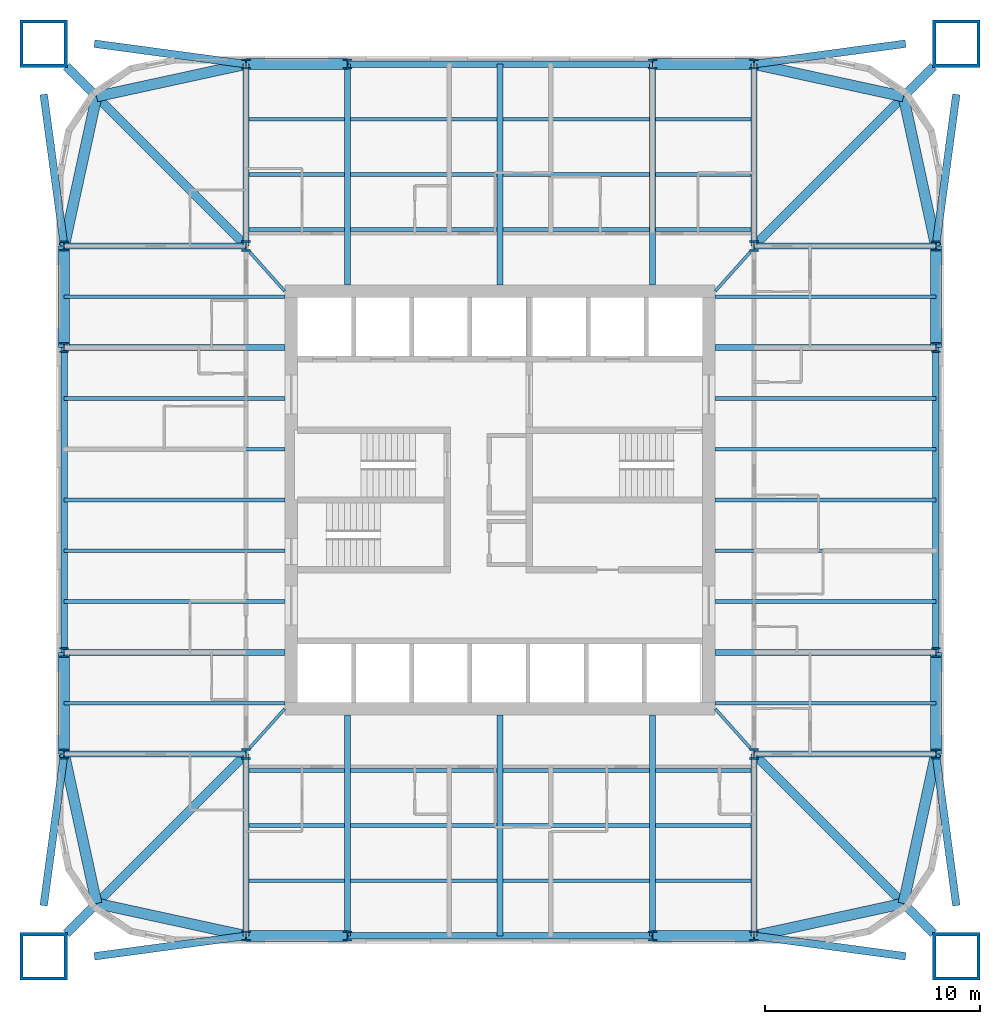
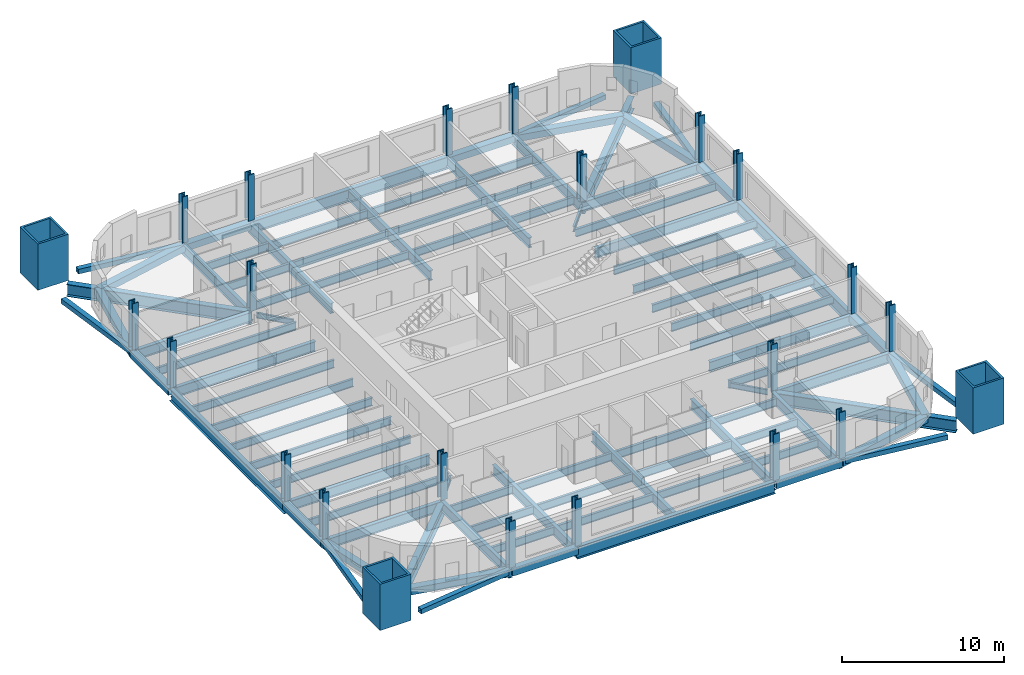
# One storey, part 1 of 9: 92 beams, 24 columns.
"""IFC4 building model written with IfcOpenShell, lengths in metres."""

from ifc_helpers import new_model, si_unit, direction, frame, origin, origin_2d, place, context, subcontext, project, spatial, hollow_rectangle, i_section, extrude, material, material_profile, profile_set, type_object, element, save


model = new_model("IFC4")

# Units and contexts
model_context = context("Model", 3, precision=1e-05, world=origin(), true_north=direction((0.0, 1.0)))
body_context = subcontext(model_context, "Body", "Model", "MODEL_VIEW")
ifc_project = project(units=[si_unit("LENGTHUNIT", "METRE"), si_unit("AREAUNIT", "SQUARE_METRE"), si_unit("VOLUMEUNIT", "CUBIC_METRE"), si_unit("PLANEANGLEUNIT", "RADIAN"), si_unit("MASSUNIT", "GRAM", prefix="KILO")], contexts=[model_context])

# Site, building, storey
site_placement = place(None, origin())
site = spatial("IfcSite", under=ifc_project, at=site_placement, CompositionType="ELEMENT")
building_placement = place(site_placement, origin())
building = spatial("IfcBuilding", under=site, at=building_placement, Name="Turquesa Mirador Hotel Tower", CompositionType="ELEMENT")
storey_placement = place(building_placement, frame((0.0, 0.0, 96.89990234375)))
storey = spatial("IfcBuildingStorey", under=building, at=storey_placement, Name="L25", CompositionType="ELEMENT", Elevation=96.89990234375)

# Columns
ifc_material_1 = material(Name="Steel ASTM A992 Grade 50", Category="steel")
ifc_material_profile_1 = material_profile(ifc_material_1, i_section(OverallWidth=0.421630859375, OverallDepth=0.46484375, WebThickness=0.044921875, FlangeThickness=0.072509765625, at=origin_2d()), Name="W14X398")
ifc_profile_set_1 = profile_set([ifc_material_profile_1], Name="Steel ASTM A992 Grade 50")
column_type_1 = type_object("IfcColumnType", Name="COLUMN W14X398", PredefinedType="COLUMN", material=ifc_profile_set_1)
for number, where, z_axis, x_axis, name in (
    (1, (34.75, 33.199951171875, 0.0), (0.0, 0.0, 1.0), (1.0, 0.0, 0.0), "COL-L25-P--20.25--11.80"),
    (2, (34.75, 37.919921875, 0.0), (0.0, 0.0, 1.0), (1.0, 0.0, 0.0), "COL-L25-P--20.25--7.08"),
    (3, (34.75, 52.080078125, 0.0), (0.0, 0.0, 1.0), (1.0, 0.0, 0.0), "COL-L25-P--20.25-+7.08"),
    (4, (34.75, 56.800048828125, 0.0), (0.0, 0.0, 1.0), (1.0, 0.0, 0.0), "COL-L25-P--20.25-+11.80"),
    (5, (43.199951171875, 24.75, 0.0), (0.0, 0.0, 1.0), (1.0, 0.0, 0.0), "COL-L25-P--11.80--20.25"),
    (6, (43.199951171875, 65.25, 0.0), (0.0, 0.0, 1.0), (1.0, 0.0, 0.0), "COL-L25-P--11.80-+20.25"),
    (7, (47.919921875, 24.75, 0.0), (0.0, 0.0, 1.0), (1.0, 0.0, 0.0), "COL-L25-P--7.08--20.25"),
    (8, (47.919921875, 65.25, 0.0), (0.0, 0.0, 1.0), (1.0, 0.0, 0.0), "COL-L25-P--7.08-+20.25"),
    (9, (62.080078125, 24.75, 0.0), (0.0, 0.0, 1.0), (1.0, 0.0, 0.0), "COL-L25-P-+7.08--20.25"),
    (10, (62.080078125, 65.25, 0.0), (0.0, 0.0, 1.0), (1.0, 0.0, 0.0), "COL-L25-P-+7.08-+20.25"),
    (11, (66.800048828125, 24.75, 0.0), (0.0, 0.0, 1.0), (1.0, 0.0, 0.0), "COL-L25-P-+11.80--20.25"),
    (12, (66.800048828125, 65.25, 0.0), (0.0, 0.0, 1.0), (1.0, 0.0, 0.0), "COL-L25-P-+11.80-+20.25"),
    (13, (75.25, 33.199951171875, 0.0), (0.0, 0.0, 1.0), (1.0, 0.0, 0.0), "COL-L25-P-+20.25--11.80"),
    (14, (75.25, 37.919921875, 0.0), (0.0, 0.0, 1.0), (1.0, 0.0, 0.0), "COL-L25-P-+20.25--7.08"),
    (15, (75.25, 52.080078125, 0.0), (0.0, 0.0, 1.0), (1.0, 0.0, 0.0), "COL-L25-P-+20.25-+7.08"),
    (16, (75.25, 56.800048828125, 0.0), (0.0, 0.0, 1.0), (1.0, 0.0, 0.0), "COL-L25-P-+20.25-+11.80"),
):
    element("IfcColumn", number, at=place(storey_placement, frame(where, z_axis=z_axis, x_axis=x_axis)), inside=storey, type_object=column_type_1, Name=name, PredefinedType="COLUMN", context=body_context, shape_type="SweptSolid", body=[
        extrude(i_section(OverallWidth=0.421630859375, OverallDepth=0.46484375, WebThickness=0.044921875, FlangeThickness=0.072509765625, at=origin_2d()), origin(), (0.0, 0.0, 1.0), 3.5),
    ])
ifc_material_2 = material(Name="Steel ASTM A992 Grade 50", Category="steel")
ifc_material_profile_2 = material_profile(ifc_material_2, i_section(OverallWidth=0.431884765625, OverallDepth=0.497802734375, WebThickness=0.0556640625, FlangeThickness=0.0888671875, at=origin_2d()), Name="W14X500")
ifc_profile_set_2 = profile_set([ifc_material_profile_2], Name="Steel ASTM A992 Grade 50")
column_type_2 = type_object("IfcColumnType", Name="COLUMN W14X500", PredefinedType="COLUMN", material=ifc_profile_set_2)
for number, where, z_axis, x_axis, name in (
    (17, (43.199951171875, 33.199951171875, 0.0), (0.0, 0.0, 1.0), (1.0, 0.0, 0.0), "COL-L25-K--11.80--11.80"),
    (18, (43.199951171875, 56.800048828125, 0.0), (0.0, 0.0, 1.0), (1.0, 0.0, 0.0), "COL-L25-K--11.80-+11.80"),
    (19, (66.800048828125, 33.199951171875, 0.0), (0.0, 0.0, 1.0), (1.0, 0.0, 0.0), "COL-L25-K-+11.80--11.80"),
    (20, (66.800048828125, 56.800048828125, 0.0), (0.0, 0.0, 1.0), (1.0, 0.0, 0.0), "COL-L25-K-+11.80-+11.80"),
):
    element("IfcColumn", number, at=place(storey_placement, frame(where, z_axis=z_axis, x_axis=x_axis)), inside=storey, type_object=column_type_2, Name=name, PredefinedType="COLUMN", context=body_context, shape_type="SweptSolid", body=[
        extrude(i_section(OverallWidth=0.431884765625, OverallDepth=0.497802734375, WebThickness=0.0556640625, FlangeThickness=0.0888671875, at=origin_2d()), origin(), (0.0, 0.0, 1.0), 3.5),
    ])
ifc_material_3 = material(Name="Steel ASTM A514 Grade Q", Category="steel")
ifc_material_profile_3 = material_profile(ifc_material_3, hollow_rectangle(XDim=2.199951171875, YDim=2.199951171875, WallThickness=0.14990234375, at=origin_2d()), Name="BOX2200X2200X150")
ifc_profile_set_3 = profile_set([ifc_material_profile_3], Name="Steel ASTM A514 Grade Q")
column_type_3 = type_object("IfcColumnType", Name="MEGA COLUMN BOX2200X2200X150", PredefinedType="COLUMN", material=ifc_profile_set_3)
for number, where, z_axis, x_axis, name in (
    (21, (76.199951171875, 66.199951171875, 0.0), (0.0, 0.0, 1.0), (1.0, 0.0, 0.0), "Mega column M1"),
    (22, (33.800048828125, 66.199951171875, 0.0), (0.0, 0.0, 1.0), (1.0, 0.0, 0.0), "Mega column M2"),
    (23, (33.800048828125, 23.800048828125, 0.0), (0.0, 0.0, 1.0), (1.0, 0.0, 0.0), "Mega column M3"),
    (24, (76.199951171875, 23.800048828125, 0.0), (0.0, 0.0, 1.0), (1.0, 0.0, 0.0), "Mega column M4"),
):
    element("IfcColumn", number, at=place(storey_placement, frame(where, z_axis=z_axis, x_axis=x_axis)), inside=storey, type_object=column_type_3, Name=name, PredefinedType="COLUMN", context=body_context, shape_type="SweptSolid", body=[
        extrude(hollow_rectangle(XDim=2.199951171875, YDim=2.199951171875, WallThickness=0.14990234375, at=origin_2d()), origin(), (0.0, 0.0, 1.0), 3.5),
    ])

# Beams
ifc_material_4 = material(Name="Steel ASTM A572 Grade 50", Category="steel")
ifc_material_profile_4 = material_profile(ifc_material_4, hollow_rectangle(XDim=0.5, YDim=0.5, WallThickness=0.01611328125, at=origin_2d()), Name="BOX500X500X16")
ifc_profile_set_4 = profile_set([ifc_material_profile_4], Name="Steel ASTM A572 Grade 50")
beam_type_1 = type_object("IfcBeamType", Name="BEAM BOX500X500X16", PredefinedType="BEAM", material=ifc_profile_set_4)
for number, where, z_axis, x_axis, name in (
    (25, (43.199951171875, 65.25, -0.419921875), (1.0, 0.0, 0.0), (0.0, 1.0, 0.0), "EB-L25-N-L"),
    (26, (62.080078125, 65.25, -0.419921875), (1.0, 0.0, 0.0), (0.0, 1.0, 0.0), "EB-L25-N-R"),
    (27, (43.199951171875, 24.75, -0.419921875), (1.0, 0.0, 0.0), (0.0, 1.0, 0.0), "EB-L25-S-L"),
    (28, (62.080078125, 24.75, -0.419921875), (1.0, 0.0, 0.0), (0.0, 1.0, 0.0), "EB-L25-S-R"),
    (29, (75.25, 33.199951171875, -0.419921875), (0.0, 1.0, 0.0), (-1.0, 0.0, 0.0), "EB-L25-E-L"),
    (30, (75.25, 52.080078125, -0.419921875), (0.0, 1.0, 0.0), (-1.0, 0.0, 0.0), "EB-L25-E-R"),
    (31, (34.75, 33.199951171875, -0.419921875), (0.0, 1.0, 0.0), (-1.0, 0.0, 0.0), "EB-L25-W-L"),
    (32, (34.75, 52.080078125, -0.419921875), (0.0, 1.0, 0.0), (-1.0, 0.0, 0.0), "EB-L25-W-R"),
):
    element("IfcBeam", number, at=place(storey_placement, frame(where, z_axis=z_axis, x_axis=x_axis)), inside=storey, type_object=beam_type_1, Name=name, PredefinedType="BEAM", context=body_context, shape_type="SweptSolid", body=[
        extrude(hollow_rectangle(XDim=0.5, YDim=0.5, WallThickness=0.01611328125, at=origin_2d()), origin(), (0.0, 0.0, 1.0), 4.719970703125),
    ])
for number, where, z_axis, x_axis, name in (
    (33, (75.25, 56.800048828125, -0.419921875), (-0.212328336885, 0.977198381781, 0.0), (-0.977198381781, -0.212328336885, 0.0), "KE-L25-1-0"),
    (34, (73.74169921875, 63.74169921875, -0.419921875), (-0.977198381781, 0.212328336885, 0.0), (-0.212328336885, -0.977198381781, 0.0), "KE-L25-1-1"),
    (35, (34.75, 56.800048828125, -0.419921875), (0.212328336885, 0.977198381781, 0.0), (-0.977198381781, 0.212328336885, 0.0), "KE-L25-2-0"),
    (36, (36.25830078125, 63.74169921875, -0.419921875), (0.977198381781, 0.212328336885, 0.0), (-0.212328336885, 0.977198381781, 0.0), "KE-L25-2-1"),
    (37, (34.75, 33.199951171875, -0.419921875), (0.212328336885, -0.977198381781, 0.0), (0.977198381781, 0.212328336885, 0.0), "KE-L25-3-0"),
    (38, (36.25830078125, 26.25830078125, -0.419921875), (0.977198381781, -0.212328336885, 0.0), (0.212328336885, 0.977198381781, 0.0), "KE-L25-3-1"),
    (39, (75.25, 33.199951171875, -0.419921875), (-0.212328336885, -0.977198381781, 0.0), (0.977198381781, -0.212328336885, 0.0), "KE-L25-4-0"),
    (40, (73.74169921875, 26.25830078125, -0.419921875), (-0.977198381781, -0.212328336885, 0.0), (0.212328336885, -0.977198381781, 0.0), "KE-L25-4-1"),
):
    element("IfcBeam", number, at=place(storey_placement, frame(where, z_axis=z_axis, x_axis=x_axis)), inside=storey, type_object=beam_type_1, Name=name, PredefinedType="BEAM", context=body_context, shape_type="SweptSolid", body=[
        extrude(hollow_rectangle(XDim=0.5, YDim=0.5, WallThickness=0.01611328125, at=origin_2d()), origin(), (0.0, 0.0, 1.0), 7.103515625),
    ])
ifc_material_5 = material(Name="Steel ASTM A992 Grade 50", Category="steel")
ifc_material_profile_5 = material_profile(ifc_material_5, i_section(OverallWidth=0.140380859375, OverallDepth=0.40380859375, WebThickness=0.007080078125, FlangeThickness=0.01123046875, at=origin_2d()), Name="W16X31")
ifc_profile_set_5 = profile_set([ifc_material_profile_5], Name="Steel ASTM A992 Grade 50")
beam_type_2 = type_object("IfcBeamType", Name="BEAM W16X31", PredefinedType="BEAM", material=ifc_profile_set_5)
for number, where, z_axis, x_axis, name in (
    (41, (66.626953125, 56.518310546875, -0.371826171875), (-0.66679485947, -0.745241313525, 0.0), (0.745241313525, -0.66679485947, 0.0), "KT-L25-1"),
    (42, (43.373046875, 56.518310546875, -0.371826171875), (0.66679485947, -0.745241313525, 0.0), (0.745241313525, 0.66679485947, 0.0), "KT-L25-2"),
    (43, (43.373046875, 33.481689453125, -0.371826171875), (0.66679485947, 0.745241313525, 0.0), (-0.745241313525, 0.66679485947, 0.0), "KT-L25-3"),
    (44, (66.626953125, 33.481689453125, -0.371826171875), (-0.66679485947, 0.745241313525, 0.0), (-0.745241313525, -0.66679485947, 0.0), "KT-L25-4"),
):
    element("IfcBeam", number, at=place(storey_placement, frame(where, z_axis=z_axis, x_axis=x_axis)), inside=storey, type_object=beam_type_2, Name=name, PredefinedType="BEAM", context=body_context, shape_type="SweptSolid", body=[
        extrude(i_section(OverallWidth=0.140380859375, OverallDepth=0.40380859375, WebThickness=0.007080078125, FlangeThickness=0.01123046875, at=origin_2d()), origin(), (0.0, 0.0, 1.0), 2.43994140625),
    ])
ifc_material_6 = material(Name="Steel ASTM A992 Grade 50", Category="steel")
ifc_material_profile_6 = material_profile(ifc_material_6, i_section(OverallWidth=0.177978515625, OverallDepth=0.599365234375, WebThickness=0.010009765625, FlangeThickness=0.012939453125, at=origin_2d()), Name="W24X55")
ifc_profile_set_6 = profile_set([ifc_material_profile_6], Name="Steel ASTM A992 Grade 50")
beam_type_3 = type_object("IfcBeamType", Name="BEAM W24X55", PredefinedType="BEAM", material=ifc_profile_set_6)
beam_1_placement = place(storey_placement, frame((43.333251953125, 57.56201171875, -0.4697265625), z_axis=(1.0, 0.0, 0.0), x_axis=(0.0, 1.0, 0.0)))
element("IfcBeam", 45, at=beam_1_placement, inside=storey, type_object=beam_type_3, Name="IB-L25-N-1-0", PredefinedType="BEAM", context=body_context, shape_type="SweptSolid", body=[
    extrude(i_section(OverallWidth=0.177978515625, OverallDepth=0.599365234375, WebThickness=0.010009765625, FlangeThickness=0.012939453125, at=origin_2d()), origin(), (0.0, 0.0, 1.0), 4.453369140625),
])
for number, where, z_axis, x_axis, name in (
    (46, (48.053466796875, 57.56201171875, -0.4697265625), (1.0, 0.0, 0.0), (0.0, 1.0, 0.0), "IB-L25-N-1-1"),
    (47, (55.13330078125, 57.56201171875, -0.4697265625), (1.0, 0.0, 0.0), (0.0, 1.0, 0.0), "IB-L25-N-1-2"),
):
    element("IfcBeam", number, at=place(storey_placement, frame(where, z_axis=z_axis, x_axis=x_axis)), inside=storey, type_object=beam_type_3, Name=name, PredefinedType="BEAM", context=body_context, shape_type="SweptSolid", body=[
        extrude(i_section(OverallWidth=0.177978515625, OverallDepth=0.599365234375, WebThickness=0.010009765625, FlangeThickness=0.012939453125, at=origin_2d()), origin(), (0.0, 0.0, 1.0), 6.813232421875),
    ])
for number, where, z_axis, x_axis, name in (
    (48, (62.21337890625, 57.56201171875, -0.4697265625), (1.0, 0.0, 0.0), (0.0, 1.0, 0.0), "IB-L25-N-1-3"),
    (49, (43.333251953125, 60.125, -0.4697265625), (1.0, 0.0, 0.0), (0.0, 1.0, 0.0), "IB-L25-N-2-0"),
):
    element("IfcBeam", number, at=place(storey_placement, frame(where, z_axis=z_axis, x_axis=x_axis)), inside=storey, type_object=beam_type_3, Name=name, PredefinedType="BEAM", context=body_context, shape_type="SweptSolid", body=[
        extrude(i_section(OverallWidth=0.177978515625, OverallDepth=0.599365234375, WebThickness=0.010009765625, FlangeThickness=0.012939453125, at=origin_2d()), origin(), (0.0, 0.0, 1.0), 4.453369140625),
    ])
for number, where, z_axis, x_axis, name in (
    (50, (48.053466796875, 60.125, -0.4697265625), (1.0, 0.0, 0.0), (0.0, 1.0, 0.0), "IB-L25-N-2-1"),
    (51, (55.13330078125, 60.125, -0.4697265625), (1.0, 0.0, 0.0), (0.0, 1.0, 0.0), "IB-L25-N-2-2"),
):
    element("IfcBeam", number, at=place(storey_placement, frame(where, z_axis=z_axis, x_axis=x_axis)), inside=storey, type_object=beam_type_3, Name=name, PredefinedType="BEAM", context=body_context, shape_type="SweptSolid", body=[
        extrude(i_section(OverallWidth=0.177978515625, OverallDepth=0.599365234375, WebThickness=0.010009765625, FlangeThickness=0.012939453125, at=origin_2d()), origin(), (0.0, 0.0, 1.0), 6.813232421875),
    ])
for number, where, z_axis, x_axis, name in (
    (52, (62.21337890625, 60.125, -0.4697265625), (1.0, 0.0, 0.0), (0.0, 1.0, 0.0), "IB-L25-N-2-3"),
    (53, (43.333251953125, 62.68798828125, -0.4697265625), (1.0, 0.0, 0.0), (0.0, 1.0, 0.0), "IB-L25-N-3-0"),
):
    element("IfcBeam", number, at=place(storey_placement, frame(where, z_axis=z_axis, x_axis=x_axis)), inside=storey, type_object=beam_type_3, Name=name, PredefinedType="BEAM", context=body_context, shape_type="SweptSolid", body=[
        extrude(i_section(OverallWidth=0.177978515625, OverallDepth=0.599365234375, WebThickness=0.010009765625, FlangeThickness=0.012939453125, at=origin_2d()), origin(), (0.0, 0.0, 1.0), 4.453369140625),
    ])
for number, where, z_axis, x_axis, name in (
    (54, (48.053466796875, 62.68798828125, -0.4697265625), (1.0, 0.0, 0.0), (0.0, 1.0, 0.0), "IB-L25-N-3-1"),
    (55, (55.13330078125, 62.68798828125, -0.4697265625), (1.0, 0.0, 0.0), (0.0, 1.0, 0.0), "IB-L25-N-3-2"),
):
    element("IfcBeam", number, at=place(storey_placement, frame(where, z_axis=z_axis, x_axis=x_axis)), inside=storey, type_object=beam_type_3, Name=name, PredefinedType="BEAM", context=body_context, shape_type="SweptSolid", body=[
        extrude(i_section(OverallWidth=0.177978515625, OverallDepth=0.599365234375, WebThickness=0.010009765625, FlangeThickness=0.012939453125, at=origin_2d()), origin(), (0.0, 0.0, 1.0), 6.813232421875),
    ])
for number, where, z_axis, x_axis, name in (
    (56, (62.21337890625, 62.68798828125, -0.4697265625), (1.0, 0.0, 0.0), (0.0, 1.0, 0.0), "IB-L25-N-3-3"),
    (57, (43.333251953125, 32.43798828125, -0.4697265625), (1.0, 0.0, 0.0), (0.0, 1.0, 0.0), "IB-L25-S-1-0"),
):
    element("IfcBeam", number, at=place(storey_placement, frame(where, z_axis=z_axis, x_axis=x_axis)), inside=storey, type_object=beam_type_3, Name=name, PredefinedType="BEAM", context=body_context, shape_type="SweptSolid", body=[
        extrude(i_section(OverallWidth=0.177978515625, OverallDepth=0.599365234375, WebThickness=0.010009765625, FlangeThickness=0.012939453125, at=origin_2d()), origin(), (0.0, 0.0, 1.0), 4.453369140625),
    ])
for number, where, z_axis, x_axis, name in (
    (58, (48.053466796875, 32.43798828125, -0.4697265625), (1.0, 0.0, 0.0), (0.0, 1.0, 0.0), "IB-L25-S-1-1"),
    (59, (55.13330078125, 32.43798828125, -0.4697265625), (1.0, 0.0, 0.0), (0.0, 1.0, 0.0), "IB-L25-S-1-2"),
):
    element("IfcBeam", number, at=place(storey_placement, frame(where, z_axis=z_axis, x_axis=x_axis)), inside=storey, type_object=beam_type_3, Name=name, PredefinedType="BEAM", context=body_context, shape_type="SweptSolid", body=[
        extrude(i_section(OverallWidth=0.177978515625, OverallDepth=0.599365234375, WebThickness=0.010009765625, FlangeThickness=0.012939453125, at=origin_2d()), origin(), (0.0, 0.0, 1.0), 6.813232421875),
    ])
for number, where, z_axis, x_axis, name in (
    (60, (62.21337890625, 32.43798828125, -0.4697265625), (1.0, 0.0, 0.0), (0.0, 1.0, 0.0), "IB-L25-S-1-3"),
    (61, (43.333251953125, 29.875, -0.4697265625), (1.0, 0.0, 0.0), (0.0, 1.0, 0.0), "IB-L25-S-2-0"),
):
    element("IfcBeam", number, at=place(storey_placement, frame(where, z_axis=z_axis, x_axis=x_axis)), inside=storey, type_object=beam_type_3, Name=name, PredefinedType="BEAM", context=body_context, shape_type="SweptSolid", body=[
        extrude(i_section(OverallWidth=0.177978515625, OverallDepth=0.599365234375, WebThickness=0.010009765625, FlangeThickness=0.012939453125, at=origin_2d()), origin(), (0.0, 0.0, 1.0), 4.453369140625),
    ])
for number, where, z_axis, x_axis, name in (
    (62, (48.053466796875, 29.875, -0.4697265625), (1.0, 0.0, 0.0), (0.0, 1.0, 0.0), "IB-L25-S-2-1"),
    (63, (55.13330078125, 29.875, -0.4697265625), (1.0, 0.0, 0.0), (0.0, 1.0, 0.0), "IB-L25-S-2-2"),
):
    element("IfcBeam", number, at=place(storey_placement, frame(where, z_axis=z_axis, x_axis=x_axis)), inside=storey, type_object=beam_type_3, Name=name, PredefinedType="BEAM", context=body_context, shape_type="SweptSolid", body=[
        extrude(i_section(OverallWidth=0.177978515625, OverallDepth=0.599365234375, WebThickness=0.010009765625, FlangeThickness=0.012939453125, at=origin_2d()), origin(), (0.0, 0.0, 1.0), 6.813232421875),
    ])
for number, where, z_axis, x_axis, name in (
    (64, (62.21337890625, 29.875, -0.4697265625), (1.0, 0.0, 0.0), (0.0, 1.0, 0.0), "IB-L25-S-2-3"),
    (65, (43.333251953125, 27.31201171875, -0.4697265625), (1.0, 0.0, 0.0), (0.0, 1.0, 0.0), "IB-L25-S-3-0"),
):
    element("IfcBeam", number, at=place(storey_placement, frame(where, z_axis=z_axis, x_axis=x_axis)), inside=storey, type_object=beam_type_3, Name=name, PredefinedType="BEAM", context=body_context, shape_type="SweptSolid", body=[
        extrude(i_section(OverallWidth=0.177978515625, OverallDepth=0.599365234375, WebThickness=0.010009765625, FlangeThickness=0.012939453125, at=origin_2d()), origin(), (0.0, 0.0, 1.0), 4.453369140625),
    ])
for number, where, z_axis, x_axis, name in (
    (66, (48.053466796875, 27.31201171875, -0.4697265625), (1.0, 0.0, 0.0), (0.0, 1.0, 0.0), "IB-L25-S-3-1"),
    (67, (55.13330078125, 27.31201171875, -0.4697265625), (1.0, 0.0, 0.0), (0.0, 1.0, 0.0), "IB-L25-S-3-2"),
):
    element("IfcBeam", number, at=place(storey_placement, frame(where, z_axis=z_axis, x_axis=x_axis)), inside=storey, type_object=beam_type_3, Name=name, PredefinedType="BEAM", context=body_context, shape_type="SweptSolid", body=[
        extrude(i_section(OverallWidth=0.177978515625, OverallDepth=0.599365234375, WebThickness=0.010009765625, FlangeThickness=0.012939453125, at=origin_2d()), origin(), (0.0, 0.0, 1.0), 6.813232421875),
    ])
beam_2_placement = place(storey_placement, frame((62.21337890625, 27.31201171875, -0.4697265625), z_axis=(1.0, 0.0, 0.0), x_axis=(0.0, 1.0, 0.0)))
element("IfcBeam", 68, at=beam_2_placement, inside=storey, type_object=beam_type_3, Name="IB-L25-S-3-3", PredefinedType="BEAM", context=body_context, shape_type="SweptSolid", body=[
    extrude(i_section(OverallWidth=0.177978515625, OverallDepth=0.599365234375, WebThickness=0.010009765625, FlangeThickness=0.012939453125, at=origin_2d()), origin(), (0.0, 0.0, 1.0), 4.453369140625),
])
for number, where, z_axis, x_axis, name in (
    (69, (75.25, 35.56005859375, -0.4697265625), (-1.0, 0.0, 0.0), (0.0, -1.0, 0.0), "BM-L25-E--9.44"),
    (70, (75.25, 40.280029296875, -0.4697265625), (-1.0, 0.0, 0.0), (0.0, -1.0, 0.0), "BM-L25-E--4.72"),
    (71, (75.25, 42.639892578125, -0.4697265625), (-1.0, 0.0, 0.0), (0.0, -1.0, 0.0), "BM-L25-E--2.36"),
    (72, (75.25, 45.0, -0.4697265625), (-1.0, 0.0, 0.0), (0.0, -1.0, 0.0), "BM-L25-E-+0.00"),
    (73, (75.25, 47.360107421875, -0.4697265625), (-1.0, 0.0, 0.0), (0.0, -1.0, 0.0), "BM-L25-E-+2.36"),
    (74, (75.25, 49.719970703125, -0.4697265625), (-1.0, 0.0, 0.0), (0.0, -1.0, 0.0), "BM-L25-E-+4.72"),
    (75, (75.25, 54.43994140625, -0.4697265625), (-1.0, 0.0, 0.0), (0.0, -1.0, 0.0), "BM-L25-E-+9.44"),
    (76, (34.75, 35.56005859375, -0.4697265625), (1.0, 0.0, 0.0), (0.0, 1.0, 0.0), "BM-L25-W--9.44"),
    (77, (34.75, 40.280029296875, -0.4697265625), (1.0, 0.0, 0.0), (0.0, 1.0, 0.0), "BM-L25-W--4.72"),
    (78, (34.75, 42.639892578125, -0.4697265625), (1.0, 0.0, 0.0), (0.0, 1.0, 0.0), "BM-L25-W--2.36"),
    (79, (34.75, 45.0, -0.4697265625), (1.0, 0.0, 0.0), (0.0, 1.0, 0.0), "BM-L25-W-+0.00"),
    (80, (34.75, 47.360107421875, -0.4697265625), (1.0, 0.0, 0.0), (0.0, 1.0, 0.0), "BM-L25-W-+2.36"),
    (81, (34.75, 49.719970703125, -0.4697265625), (1.0, 0.0, 0.0), (0.0, 1.0, 0.0), "BM-L25-W-+4.72"),
    (82, (34.75, 54.43994140625, -0.4697265625), (1.0, 0.0, 0.0), (0.0, 1.0, 0.0), "BM-L25-W-+9.44"),
):
    element("IfcBeam", number, at=place(storey_placement, frame(where, z_axis=z_axis, x_axis=x_axis)), inside=storey, type_object=beam_type_3, Name=name, PredefinedType="BEAM", context=body_context, shape_type="SweptSolid", body=[
        extrude(i_section(OverallWidth=0.177978515625, OverallDepth=0.599365234375, WebThickness=0.010009765625, FlangeThickness=0.012939453125, at=origin_2d()), origin(), (0.0, 0.0, 1.0), 10.25),
    ])
ifc_material_7 = material(Name="Steel ASTM A992 Grade 50", Category="steel")
ifc_material_profile_7 = material_profile(ifc_material_7, i_section(OverallWidth=0.2666015625, OverallDepth=0.7568359375, WebThickness=0.013916015625, FlangeThickness=0.019287109375, at=origin_2d()), Name="W30X108")
ifc_profile_set_7 = profile_set([ifc_material_profile_7], Name="Steel ASTM A992 Grade 50")
beam_type_4 = type_object("IfcBeamType", Name="BEAM W30X108", PredefinedType="BEAM", material=ifc_profile_set_7)
for number, where, z_axis, x_axis, name in (
    (83, (47.919921875, 65.25, -0.54833984375), (0.0, -1.0, 0.0), (1.0, 0.0, 0.0), "GD-L25-N--7.08"),
    (84, (62.080078125, 65.25, -0.54833984375), (0.0, -1.0, 0.0), (1.0, 0.0, 0.0), "GD-L25-N-+7.08"),
    (85, (55.0, 65.25, -0.54833984375), (0.0, -1.0, 0.0), (1.0, 0.0, 0.0), "GD-L25-N-+0.00"),
):
    element("IfcBeam", number, at=place(storey_placement, frame(where, z_axis=z_axis, x_axis=x_axis)), inside=storey, type_object=beam_type_4, Name=name, PredefinedType="BEAM", context=body_context, shape_type="SweptSolid", body=[
        extrude(i_section(OverallWidth=0.2666015625, OverallDepth=0.7568359375, WebThickness=0.013916015625, FlangeThickness=0.019287109375, at=origin_2d()), origin(), (0.0, 0.0, 1.0), 10.25),
    ])
for number, where, z_axis, x_axis, name in (
    (86, (43.199951171875, 65.25, -0.54833984375), (0.0, -1.0, 0.0), (1.0, 0.0, 0.0), "GK-L25-N--11.80"),
    (87, (66.800048828125, 65.25, -0.54833984375), (0.0, -1.0, 0.0), (1.0, 0.0, 0.0), "GK-L25-N-+11.80"),
):
    element("IfcBeam", number, at=place(storey_placement, frame(where, z_axis=z_axis, x_axis=x_axis)), inside=storey, type_object=beam_type_4, Name=name, PredefinedType="BEAM", context=body_context, shape_type="SweptSolid", body=[
        extrude(i_section(OverallWidth=0.2666015625, OverallDepth=0.7568359375, WebThickness=0.013916015625, FlangeThickness=0.019287109375, at=origin_2d()), origin(), (0.0, 0.0, 1.0), 8.449951171875),
    ])
for number, where, z_axis, x_axis, name in (
    (88, (47.919921875, 24.75, -0.54833984375), (0.0, 1.0, 0.0), (-1.0, 0.0, 0.0), "GD-L25-S--7.08"),
    (89, (62.080078125, 24.75, -0.54833984375), (0.0, 1.0, 0.0), (-1.0, 0.0, 0.0), "GD-L25-S-+7.08"),
    (90, (55.0, 24.75, -0.54833984375), (0.0, 1.0, 0.0), (-1.0, 0.0, 0.0), "GD-L25-S-+0.00"),
):
    element("IfcBeam", number, at=place(storey_placement, frame(where, z_axis=z_axis, x_axis=x_axis)), inside=storey, type_object=beam_type_4, Name=name, PredefinedType="BEAM", context=body_context, shape_type="SweptSolid", body=[
        extrude(i_section(OverallWidth=0.2666015625, OverallDepth=0.7568359375, WebThickness=0.013916015625, FlangeThickness=0.019287109375, at=origin_2d()), origin(), (0.0, 0.0, 1.0), 10.25),
    ])
for number, where, z_axis, x_axis, name in (
    (91, (43.199951171875, 24.75, -0.54833984375), (0.0, 1.0, 0.0), (-1.0, 0.0, 0.0), "GK-L25-S--11.80"),
    (92, (66.800048828125, 24.75, -0.54833984375), (0.0, 1.0, 0.0), (-1.0, 0.0, 0.0), "GK-L25-S-+11.80"),
):
    element("IfcBeam", number, at=place(storey_placement, frame(where, z_axis=z_axis, x_axis=x_axis)), inside=storey, type_object=beam_type_4, Name=name, PredefinedType="BEAM", context=body_context, shape_type="SweptSolid", body=[
        extrude(i_section(OverallWidth=0.2666015625, OverallDepth=0.7568359375, WebThickness=0.013916015625, FlangeThickness=0.019287109375, at=origin_2d()), origin(), (0.0, 0.0, 1.0), 8.449951171875),
    ])
for number, where, z_axis, x_axis, name in (
    (93, (75.25, 37.919921875, -0.54833984375), (-1.0, 0.0, 0.0), (0.0, -1.0, 0.0), "GD-L25-E--7.08"),
    (94, (75.25, 52.080078125, -0.54833984375), (-1.0, 0.0, 0.0), (0.0, -1.0, 0.0), "GD-L25-E-+7.08"),
):
    element("IfcBeam", number, at=place(storey_placement, frame(where, z_axis=z_axis, x_axis=x_axis)), inside=storey, type_object=beam_type_4, Name=name, PredefinedType="BEAM", context=body_context, shape_type="SweptSolid", body=[
        extrude(i_section(OverallWidth=0.2666015625, OverallDepth=0.7568359375, WebThickness=0.013916015625, FlangeThickness=0.019287109375, at=origin_2d()), origin(), (0.0, 0.0, 1.0), 10.25),
    ])
for number, where, z_axis, x_axis, name in (
    (95, (75.25, 33.199951171875, -0.54833984375), (-1.0, 0.0, 0.0), (0.0, -1.0, 0.0), "GK-L25-E--11.80"),
    (96, (75.25, 56.800048828125, -0.54833984375), (-1.0, 0.0, 0.0), (0.0, -1.0, 0.0), "GK-L25-E-+11.80"),
):
    element("IfcBeam", number, at=place(storey_placement, frame(where, z_axis=z_axis, x_axis=x_axis)), inside=storey, type_object=beam_type_4, Name=name, PredefinedType="BEAM", context=body_context, shape_type="SweptSolid", body=[
        extrude(i_section(OverallWidth=0.2666015625, OverallDepth=0.7568359375, WebThickness=0.013916015625, FlangeThickness=0.019287109375, at=origin_2d()), origin(), (0.0, 0.0, 1.0), 8.449951171875),
    ])
for number, where, z_axis, x_axis, name in (
    (97, (34.75, 37.919921875, -0.54833984375), (1.0, 0.0, 0.0), (0.0, 1.0, 0.0), "GD-L25-W--7.08"),
    (98, (34.75, 52.080078125, -0.54833984375), (1.0, 0.0, 0.0), (0.0, 1.0, 0.0), "GD-L25-W-+7.08"),
):
    element("IfcBeam", number, at=place(storey_placement, frame(where, z_axis=z_axis, x_axis=x_axis)), inside=storey, type_object=beam_type_4, Name=name, PredefinedType="BEAM", context=body_context, shape_type="SweptSolid", body=[
        extrude(i_section(OverallWidth=0.2666015625, OverallDepth=0.7568359375, WebThickness=0.013916015625, FlangeThickness=0.019287109375, at=origin_2d()), origin(), (0.0, 0.0, 1.0), 10.25),
    ])
for number, where, z_axis, x_axis, name in (
    (99, (34.75, 33.199951171875, -0.54833984375), (1.0, 0.0, 0.0), (0.0, 1.0, 0.0), "GK-L25-W--11.80"),
    (100, (34.75, 56.800048828125, -0.54833984375), (1.0, 0.0, 0.0), (0.0, 1.0, 0.0), "GK-L25-W-+11.80"),
):
    element("IfcBeam", number, at=place(storey_placement, frame(where, z_axis=z_axis, x_axis=x_axis)), inside=storey, type_object=beam_type_4, Name=name, PredefinedType="BEAM", context=body_context, shape_type="SweptSolid", body=[
        extrude(i_section(OverallWidth=0.2666015625, OverallDepth=0.7568359375, WebThickness=0.013916015625, FlangeThickness=0.019287109375, at=origin_2d()), origin(), (0.0, 0.0, 1.0), 8.449951171875),
    ])
ifc_material_8 = material(Name="Steel ASTM A992 Grade 50", Category="steel")
ifc_material_profile_8 = material_profile(ifc_material_8, i_section(OverallWidth=0.3046875, OverallDepth=0.911865234375, WebThickness=0.015869140625, FlangeThickness=0.02392578125, at=origin_2d()), Name="W36X150")
ifc_profile_set_8 = profile_set([ifc_material_profile_8], Name="Steel ASTM A992 Grade 50")
beam_type_5 = type_object("IfcBeamType", Name="BEAM W36X150", PredefinedType="BEAM", material=ifc_profile_set_8)
for number, where, z_axis, x_axis, name in (
    (101, (47.919921875, 65.25, -0.625732421875), (1.0, 0.0, 0.0), (0.0, 1.0, 0.0), "EB-L25-N-C"),
    (102, (47.919921875, 24.75, -0.625732421875), (1.0, 0.0, 0.0), (0.0, 1.0, 0.0), "EB-L25-S-C"),
    (103, (75.25, 37.919921875, -0.625732421875), (0.0, 1.0, 0.0), (-1.0, 0.0, 0.0), "EB-L25-E-C"),
    (104, (34.75, 37.919921875, -0.625732421875), (0.0, 1.0, 0.0), (-1.0, 0.0, 0.0), "EB-L25-W-C"),
):
    element("IfcBeam", number, at=place(storey_placement, frame(where, z_axis=z_axis, x_axis=x_axis)), inside=storey, type_object=beam_type_5, Name=name, PredefinedType="BEAM", context=body_context, shape_type="SweptSolid", body=[
        extrude(i_section(OverallWidth=0.3046875, OverallDepth=0.911865234375, WebThickness=0.015869140625, FlangeThickness=0.02392578125, at=origin_2d()), origin(), (0.0, 0.0, 1.0), 14.16015625),
    ])
ifc_material_9 = material(Name="Steel ASTM A992 Grade 50", Category="steel")
ifc_material_profile_9 = material_profile(ifc_material_9, i_section(OverallWidth=0.419189453125, OverallDepth=0.927001953125, WebThickness=0.019287109375, FlangeThickness=0.031982421875, at=origin_2d()), Name="W36X231")
ifc_profile_set_9 = profile_set([ifc_material_profile_9], Name="Steel ASTM A992 Grade 50")
beam_type_6 = type_object("IfcBeamType", Name="BEAM W36X231", PredefinedType="BEAM", material=ifc_profile_set_9)
for number, where, z_axis, x_axis, name in (
    (105, (66.800048828125, 56.800048828125, -0.633544921875), (0.707106781187, 0.707106781187, 0.0), (-0.707106781187, 0.707106781187, 0.0), "KD-L25-1"),
    (106, (43.199951171875, 56.800048828125, -0.633544921875), (-0.707106781187, 0.707106781187, 0.0), (-0.707106781187, -0.707106781187, 0.0), "KD-L25-2"),
    (107, (43.199951171875, 33.199951171875, -0.633544921875), (-0.707106781187, -0.707106781187, 0.0), (0.707106781187, -0.707106781187, 0.0), "KD-L25-3"),
    (108, (66.800048828125, 33.199951171875, -0.633544921875), (0.707106781187, -0.707106781187, 0.0), (0.707106781187, 0.707106781187, 0.0), "KD-L25-4"),
):
    element("IfcBeam", number, at=place(storey_placement, frame(where, z_axis=z_axis, x_axis=x_axis)), inside=storey, type_object=beam_type_6, Name=name, PredefinedType="BEAM", context=body_context, shape_type="SweptSolid", body=[
        extrude(i_section(OverallWidth=0.419189453125, OverallDepth=0.927001953125, WebThickness=0.019287109375, FlangeThickness=0.031982421875, at=origin_2d()), origin(), (0.0, 0.0, 1.0), 11.80859375),
    ])
ifc_material_10 = material(Name="Steel ASTM A500 Grade C", Category="steel")
ifc_material_profile_10 = material_profile(ifc_material_10, hollow_rectangle(XDim=0.355712890625, YDim=0.355712890625, WallThickness=0.0146484375, at=origin_2d()), Name="HSS14X14X5/8")
ifc_profile_set_10 = profile_set([ifc_material_profile_10], Name="Steel ASTM A500 Grade C")
beam_type_7 = type_object("IfcBeamType", Name="BRACE STRUT HSS14X14X5/8", PredefinedType="BEAM", material=ifc_profile_set_10)
for number, where, z_axis, x_axis, name in (
    (109, (36.155517578125, 66.199951171875, -0.34765625), (0.991029719552, -0.133641666278, 0.0), (0.133641666278, 0.991029719552, 0.0), "Brace strut"),
    (110, (73.844482421875, 66.199951171875, -0.34765625), (-0.991029719552, -0.133641666278, 0.0), (0.133641666278, -0.991029719552, 0.0), "Brace strut"),
    (111, (36.155517578125, 23.800048828125, -0.34765625), (0.991029719552, 0.133641666278, 0.0), (-0.133641666278, 0.991029719552, 0.0), "Brace strut"),
    (112, (73.844482421875, 23.800048828125, -0.34765625), (-0.991029719552, 0.133641666278, 0.0), (-0.133641666278, -0.991029719552, 0.0), "Brace strut"),
    (113, (76.199951171875, 26.155517578125, -0.34765625), (-0.133641666278, 0.991029719552, 0.0), (-0.991029719552, -0.133641666278, 0.0), "Brace strut"),
    (114, (76.199951171875, 63.844482421875, -0.34765625), (-0.133641666278, -0.991029719552, 0.0), (0.991029719552, -0.133641666278, 0.0), "Brace strut"),
    (115, (33.800048828125, 26.155517578125, -0.34765625), (0.133641666278, 0.991029719552, 0.0), (-0.991029719552, 0.133641666278, 0.0), "Brace strut"),
    (116, (33.800048828125, 63.844482421875, -0.34765625), (0.133641666278, -0.991029719552, 0.0), (0.991029719552, 0.133641666278, 0.0), "Brace strut"),
):
    element("IfcBeam", number, at=place(storey_placement, frame(where, z_axis=z_axis, x_axis=x_axis)), inside=storey, type_object=beam_type_7, Name=name, PredefinedType="BEAM", context=body_context, shape_type="SweptSolid", body=[
        extrude(hollow_rectangle(XDim=0.355712890625, YDim=0.355712890625, WallThickness=0.0146484375, at=origin_2d()), origin(), (0.0, 0.0, 1.0), 7.108154296875),
    ])

save(model, "model.ifc")
